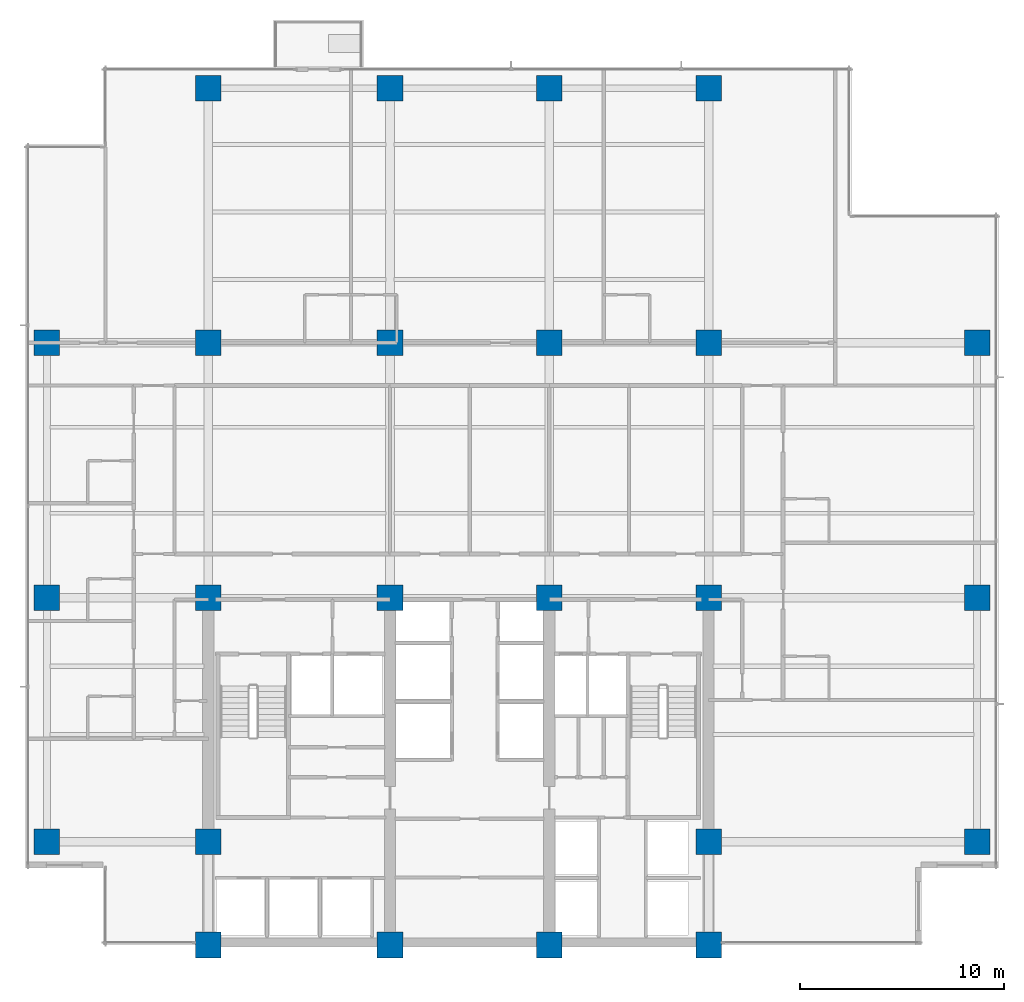
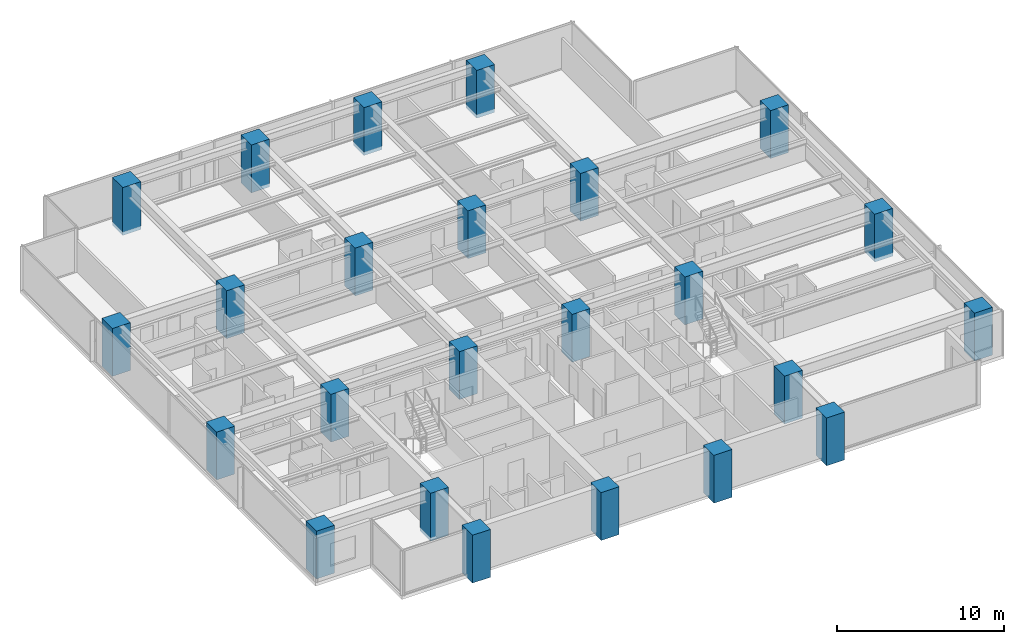
# One storey, part 1 of 17: 24 columns.
"""IFC4 building model written with IfcOpenShell, lengths in metres."""

import ifcopenshell
import ifcopenshell.guid

model = None  # the IFC model being written
_history = None  # IfcOwnerHistory: only IFC2X3 demands one
_inside = {}  # id of a spatial element -> (the spatial element, [elements in it])
_under = {}  # id of a project, library or spatial element -> (it, [spatial elements below it])
_declared = {}  # id of a project -> (the project, [libraries it declares])
_typed = {}  # id of a type object -> (the type object, [elements of that type])
_made_of = {}  # id of a material, layer set ... -> (it, [elements and type objects made of it])


def new_model(schema):
    """Start an empty IFC model of exactly this schema.

    Asked for "IFC4X3", IfcOpenShell would pick the latest addendum, in which some entities
    have other attributes; the version numbers below select the first issue.
    IFC2X3 requires an IfcOwnerHistory on every rooted entity: one is made here for all.
    """
    global model, _history
    if schema == "IFC4X3":
        model = ifcopenshell.file(schema_version=(4, 3, 0, 0))
    else:
        model = ifcopenshell.file(schema=schema)
    _inside.clear()
    _under.clear()
    _declared.clear()
    _typed.clear()
    _made_of.clear()
    _history = None
    if model.schema == "IFC2X3":
        org = make("IfcOrganization", Name="unknown")
        user = make(
            "IfcPersonAndOrganization",
            ThePerson=make("IfcPerson", FamilyName="unknown"),
            TheOrganization=org,
        )
        app = make(
            "IfcApplication",
            ApplicationDeveloper=org,
            Version="unknown",
            ApplicationFullName="unknown",
            ApplicationIdentifier="unknown",
        )
        _history = make(
            "IfcOwnerHistory",
            OwningUser=user,
            OwningApplication=app,
            ChangeAction="ADDED",
            CreationDate=0,
        )
    return model


def make(cls, **values):
    """One entity of the class cls with the attributes given. An attribute that is None is left unset."""
    return model.create_entity(
        cls, **{name: value for name, value in values.items() if value is not None}
    )


def rooted(cls, **values):
    """An entity with a GlobalId (a new one), such as an element, a storey or a relation."""
    return make(cls, GlobalId=ifcopenshell.guid.new(), OwnerHistory=_history, **values)


def si_unit(unit_type, name, prefix=None):
    """IfcSIUnit, for example si_unit("LENGTHUNIT", "METRE", prefix="MILLI")."""
    return make("IfcSIUnit", UnitType=unit_type, Prefix=prefix, Name=name)


def assignment(units):
    """IfcUnitAssignment: the units of a project."""
    return None if units is None else make("IfcUnitAssignment", Units=units)


def point(xyz):
    """IfcCartesianPoint."""
    return None if xyz is None else make("IfcCartesianPoint", Coordinates=xyz)


def direction(xyz):
    """IfcDirection."""
    return None if xyz is None else make("IfcDirection", DirectionRatios=xyz)


def frame(location, z_axis=None, x_axis=None):
    """IfcAxis2Placement3D, a coordinate frame: its origin and axes. An axis left out is left unset."""
    return make(
        "IfcAxis2Placement3D",
        Location=point(location),
        Axis=direction(z_axis),
        RefDirection=direction(x_axis),
    )


def frame_2d(location, x_axis=None):
    """IfcAxis2Placement2D, a coordinate frame in the plane: its origin and x axis."""
    return make(
        "IfcAxis2Placement2D", Location=point(location), RefDirection=direction(x_axis)
    )


def origin():
    """The frame at (0, 0, 0) with its axes left unset."""
    return frame((0.0, 0.0, 0.0))


def origin_2d():
    """The frame at (0, 0) in the plane with its x axis left unset."""
    return frame_2d((0.0, 0.0))


def place(relative_to, where):
    """IfcLocalPlacement: puts the frame where relative to a parent placement (None: the world)."""
    return make(
        "IfcLocalPlacement", PlacementRelTo=relative_to, RelativePlacement=where
    )


def context(
    kind, dimensions, precision=None, world=None, true_north=None, identifier=None
):
    """IfcGeometricRepresentationContext, for example the 3D "Model" context."""
    return make(
        "IfcGeometricRepresentationContext",
        ContextIdentifier=identifier,
        ContextType=kind,
        CoordinateSpaceDimension=dimensions,
        Precision=precision,
        WorldCoordinateSystem=world,
        TrueNorth=true_north,
    )


def subcontext(parent, identifier, kind, view, scale=None):
    """IfcGeometricRepresentationSubContext, for example "Body" below "Model"."""
    return make(
        "IfcGeometricRepresentationSubContext",
        ContextIdentifier=identifier,
        ContextType=kind,
        ParentContext=parent,
        TargetScale=scale,
        TargetView=view,
    )


def project(units=None, contexts=None):
    """IfcProject with its units and contexts."""
    return rooted(
        "IfcProject",
        Name="project",
        RepresentationContexts=contexts,
        UnitsInContext=assignment(units),
    )


def spatial(cls, under=None, at=None, **own):
    """A site, building, storey or space (cls), placed at a placement, below another one or the project."""
    s = rooted(cls, ObjectPlacement=at, **own)
    if under is not None:
        _under.setdefault(under.id(), (under, []))[1].append(s)
    return s


def profile(cls, at=None, kind="AREA", **sizes):
    """A parametric profile (cls). Its sizes go by their IFC names, for example OverallWidth=200.0."""
    return make(cls, ProfileType=kind, Position=at, **sizes)


def rectangle(**sizes):
    """IfcRectangleProfileDef."""
    return profile("IfcRectangleProfileDef", **sizes)


def extrude(swept, where, along, depth):
    """IfcExtrudedAreaSolid: the profile swept, set in the frame where, extruded along a direction by depth."""
    return make(
        "IfcExtrudedAreaSolid",
        SweptArea=swept,
        Position=where,
        ExtrudedDirection=direction(along),
        Depth=depth,
    )


def shape(context_of_items, identifier, shape_type, items):
    """IfcShapeRepresentation: the items that make up one representation, for example the "Body"."""
    return make(
        "IfcShapeRepresentation",
        ContextOfItems=context_of_items,
        RepresentationIdentifier=identifier,
        RepresentationType=shape_type,
        Items=items,
    )


def material(Name=None, Category=None):
    """IfcMaterial."""
    return make("IfcMaterial", Name=Name, Category=Category)


def material_profile(
    of_material, cross_section, Name=None, Category=None, Priority=None
):
    """IfcMaterialProfile: a cross section and its material."""
    return make(
        "IfcMaterialProfile",
        Name=Name,
        Material=of_material,
        Profile=cross_section,
        Priority=Priority,
        Category=Category,
    )


def profile_set(profiles, Name=None, composite=None):
    """IfcMaterialProfileSet."""
    return make(
        "IfcMaterialProfileSet",
        Name=Name,
        MaterialProfiles=profiles,
        CompositeProfile=composite,
    )


def made_of(thing, what):
    """Note that an element or type object is made of a material, layer set ...; save() writes the relation."""
    if what is not None:
        _made_of.setdefault(what.id(), (what, []))[1].append(thing)
    return thing


def type_object(cls, material=None, **own):
    """A type object (cls), such as IfcWallType, which elements share."""
    return made_of(rooted(cls, **own), material)


def element(
    cls,
    number,
    at=None,
    inside=None,
    cuts=None,
    type_object=None,
    material=None,
    context=None,
    identifier="Body",
    shape_type=None,
    held_by="IfcProductDefinitionShape",
    body=None,
    shapes=None,
    **own,
):
    """One element of the class cls, such as IfcWall. Its Tag is "e" and its number.

    at: its placement. inside: the storey or other place that contains it. cuts: it is an
    opening in that element (IfcRelVoidsElement). A single representation is given by context,
    identifier, shape_type and body (its items); several are given by shapes. held_by: the class
    of the entity that holds the representations. save() writes the other relations.
    """
    e = rooted(cls, Tag="e%d" % number, ObjectPlacement=at, **own)
    if body is not None:
        shapes = [shape(context, identifier, shape_type, body)]
    if shapes is not None:
        e.Representation = make(held_by, Representations=shapes)
    if inside is not None:
        _inside.setdefault(inside.id(), (inside, []))[1].append(e)
    if cuts is not None:
        rooted(
            "IfcRelVoidsElement", RelatingBuildingElement=cuts, RelatedOpeningElement=e
        )
    if type_object is not None:
        _typed.setdefault(type_object.id(), (type_object, []))[1].append(e)
    return made_of(e, material)


def aggregate(whole, parts):
    """IfcRelAggregates: a whole, such as a stair, and the parts it consists of."""
    return rooted("IfcRelAggregates", RelatingObject=whole, RelatedObjects=parts)


def save(model, path):
    """Write the relations noted so far, then the file.

    IfcRelAggregates (storeys below a building ...), IfcRelContainedInSpatialStructure (elements
    in a storey), IfcRelDefinesByType, IfcRelAssociatesMaterial and IfcRelDeclares: one each for
    every whole, place, type object, material and project.
    """
    for whole, parts in _under.values():
        aggregate(whole, parts)
    for where, things in _inside.values():
        rooted(
            "IfcRelContainedInSpatialStructure",
            RelatedElements=things,
            RelatingStructure=where,
        )
    for kind, things in _typed.values():
        rooted("IfcRelDefinesByType", RelatedObjects=things, RelatingType=kind)
    for what, things in _made_of.values():
        rooted("IfcRelAssociatesMaterial", RelatedObjects=things, RelatingMaterial=what)
    for by, libraries in _declared.values():
        rooted("IfcRelDeclares", RelatingContext=by, RelatedDefinitions=libraries)
    model.write(path)


model = new_model("IFC4")

# Units and contexts
model_context = context("Model", 3, precision=1e-05, world=origin(), true_north=direction((0.0, 1.0)))
body_context = subcontext(model_context, "Body", "Model", "MODEL_VIEW")
ifc_project = project(units=[si_unit("LENGTHUNIT", "METRE"), si_unit("AREAUNIT", "SQUARE_METRE"), si_unit("VOLUMEUNIT", "CUBIC_METRE"), si_unit("PLANEANGLEUNIT", "RADIAN"), si_unit("MASSUNIT", "GRAM", prefix="KILO")], contexts=[model_context])

# Site, building, storey
site_placement = place(None, origin())
site = spatial("IfcSite", under=ifc_project, at=site_placement, CompositionType="ELEMENT")
building_placement = place(site_placement, origin())
building = spatial("IfcBuilding", under=site, at=building_placement, Name="Qalmaran Belvedere Hotel", CompositionType="ELEMENT")
storey_placement = place(building_placement, frame((0.0, 0.0, 116.199951171875)))
storey = spatial("IfcBuildingStorey", under=building, at=storey_placement, Name="L29", CompositionType="ELEMENT", Elevation=116.199951171875)

# Columns
ifc_material = material(Name="Concrete C60/75", Category="concrete")
ifc_material_profile = material_profile(ifc_material, rectangle(XDim=1.25, YDim=1.25, at=origin_2d()), Name="CC1250X1250")
ifc_profile_set = profile_set([ifc_material_profile], Name="Concrete C60/75")
column_type = type_object("IfcColumnType", Name="COL-Z2-CC1250", PredefinedType="COLUMN", material=ifc_profile_set)
for number, where, z_axis, x_axis, name in (
    (1, (20.300048828125, 3.5, -0.260009765625), (0.0, 0.0, 1.0), (1.0, 0.0, 0.0), "L29 Column C4B"),
    (2, (29.199951171875, 3.5, -0.260009765625), (0.0, 0.0, 1.0), (1.0, 0.0, 0.0), "L29 Column C5B"),
    (3, (37.0, 3.5, -0.260009765625), (0.0, 0.0, 1.0), (1.0, 0.0, 0.0), "L29 Column C6B"),
    (4, (44.800048828125, 3.5, -0.260009765625), (0.0, 0.0, 1.0), (1.0, 0.0, 0.0), "L29 Column C7B"),
    (5, (20.300048828125, 8.550048828125, -0.260009765625), (0.0, 0.0, 1.0), (1.0, 0.0, 0.0), "L29 Column C4C"),
    (6, (44.800048828125, 8.550048828125, -0.260009765625), (0.0, 0.0, 1.0), (1.0, 0.0, 0.0), "L29 Column C7C"),
    (7, (20.300048828125, 20.5, -0.260009765625), (0.0, 0.0, 1.0), (1.0, 0.0, 0.0), "L29 Column C4D"),
    (8, (29.199951171875, 20.5, -0.260009765625), (0.0, 0.0, 1.0), (1.0, 0.0, 0.0), "L29 Column C5D"),
    (9, (37.0, 20.5, -0.260009765625), (0.0, 0.0, 1.0), (1.0, 0.0, 0.0), "L29 Column C6D"),
    (10, (44.800048828125, 20.5, -0.260009765625), (0.0, 0.0, 1.0), (1.0, 0.0, 0.0), "L29 Column C7D"),
    (11, (20.300048828125, 33.0, -0.260009765625), (0.0, 0.0, 1.0), (1.0, 0.0, 0.0), "L29 Column C4F"),
    (12, (29.199951171875, 33.0, -0.260009765625), (0.0, 0.0, 1.0), (1.0, 0.0, 0.0), "L29 Column C5F"),
    (13, (37.0, 33.0, -0.260009765625), (0.0, 0.0, 1.0), (1.0, 0.0, 0.0), "L29 Column C6F"),
    (14, (44.800048828125, 33.0, -0.260009765625), (0.0, 0.0, 1.0), (1.0, 0.0, 0.0), "L29 Column C7F"),
    (15, (12.39990234375, 8.550048828125, -0.260009765625), (0.0, 0.0, 1.0), (1.0, 0.0, 0.0), "L29 Column CW1"),
    (16, (12.39990234375, 20.5, -0.260009765625), (0.0, 0.0, 1.0), (1.0, 0.0, 0.0), "L29 Column CW3"),
    (17, (12.39990234375, 33.0, -0.260009765625), (0.0, 0.0, 1.0), (1.0, 0.0, 0.0), "L29 Column CW4"),
    (18, (57.949951171875, 8.550048828125, -0.260009765625), (0.0, 0.0, 1.0), (1.0, 0.0, 0.0), "L29 Column CE1"),
    (19, (57.949951171875, 20.5, -0.260009765625), (0.0, 0.0, 1.0), (1.0, 0.0, 0.0), "L29 Column CE3"),
    (20, (57.949951171875, 33.0, -0.260009765625), (0.0, 0.0, 1.0), (1.0, 0.0, 0.0), "L29 Column CE4"),
    (21, (20.300048828125, 45.449951171875, -0.260009765625), (0.0, 0.0, 1.0), (1.0, 0.0, 0.0), "L29 Column CN1"),
    (22, (29.199951171875, 45.449951171875, -0.260009765625), (0.0, 0.0, 1.0), (1.0, 0.0, 0.0), "L29 Column CN2"),
    (23, (37.0, 45.449951171875, -0.260009765625), (0.0, 0.0, 1.0), (1.0, 0.0, 0.0), "L29 Column CN3"),
    (24, (44.800048828125, 45.449951171875, -0.260009765625), (0.0, 0.0, 1.0), (1.0, 0.0, 0.0), "L29 Column CN4"),
):
    element("IfcColumn", number, at=place(storey_placement, frame(where, z_axis=z_axis, x_axis=x_axis)), inside=storey, type_object=column_type, Name=name, PredefinedType="COLUMN", context=body_context, shape_type="SweptSolid", body=[
        extrude(rectangle(XDim=1.25, YDim=1.25, at=origin_2d()), origin(), (0.0, 0.0, 1.0), 3.5),
    ])

save(model, "model.ifc")
